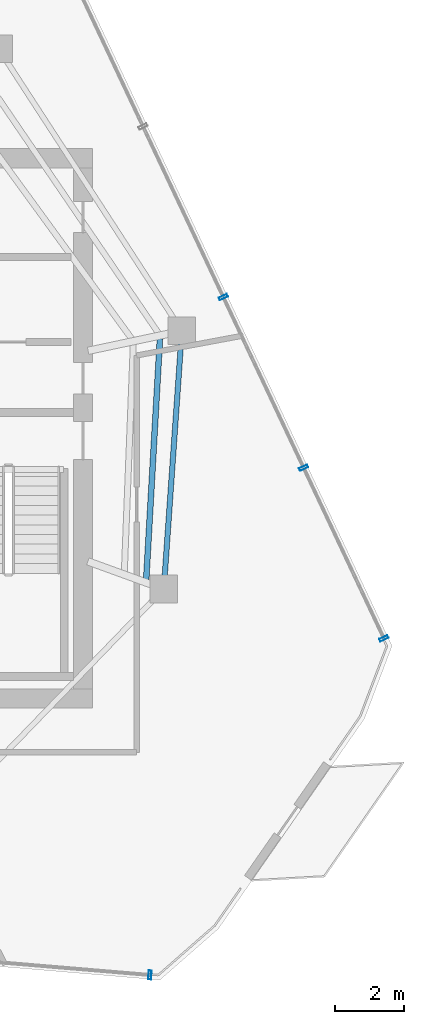
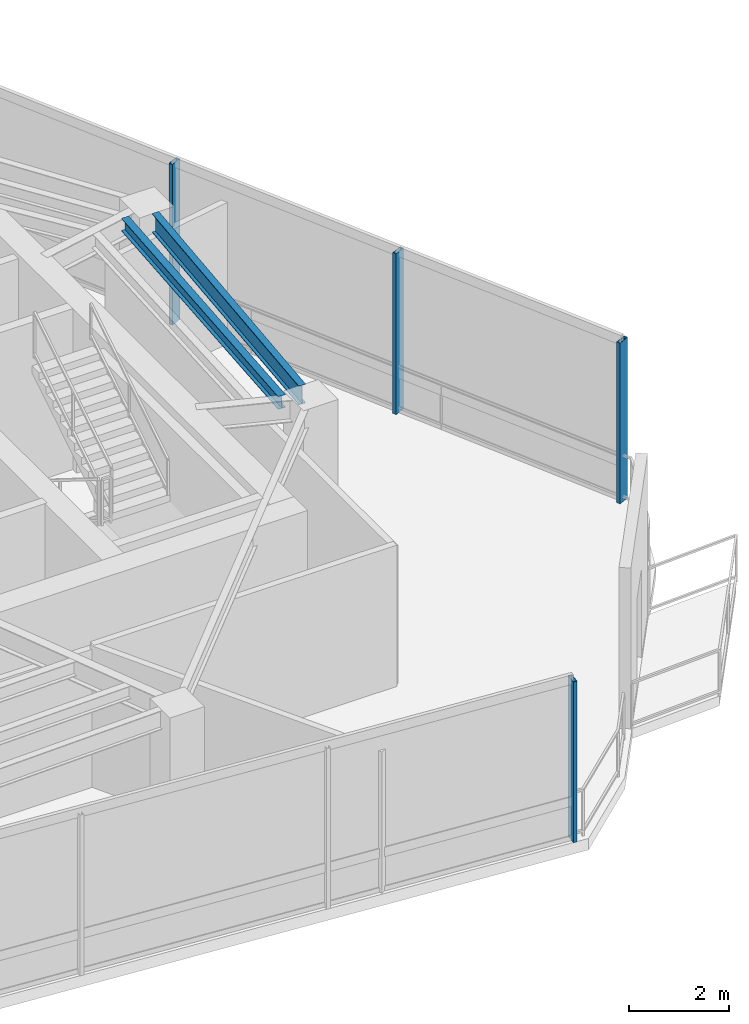
# One storey, part 11 of 19: 4 members, 2 beams, 2 elements without a shape of their own.
"""IFC4 building model written with IfcOpenShell, lengths in metres."""

from ifc_helpers import new_model, si_unit, direction, frame, origin, origin_2d, place, context, subcontext, project, spatial, hollow_rectangle, i_section, extrude, material, layer, layer_set, material_profile, profile_set, type_object, element, aggregate, save


model = new_model("IFC4")

# Units and contexts
model_context = context("Model", 3, precision=1e-05, world=origin(), true_north=direction((0.0, 1.0)))
body_context = subcontext(model_context, "Body", "Model", "MODEL_VIEW")
ifc_project = project(units=[si_unit("LENGTHUNIT", "METRE"), si_unit("AREAUNIT", "SQUARE_METRE"), si_unit("VOLUMEUNIT", "CUBIC_METRE"), si_unit("PLANEANGLEUNIT", "RADIAN"), si_unit("MASSUNIT", "GRAM", prefix="KILO")], contexts=[model_context])

# Site, building, storey
site_placement = place(None, origin())
site = spatial("IfcSite", under=ifc_project, at=site_placement, CompositionType="ELEMENT")
building_placement = place(site_placement, origin())
building = spatial("IfcBuilding", under=site, at=building_placement, Name="Qarnah Convention Tower", CompositionType="ELEMENT")
storey_placement = place(building_placement, frame((0.0, 0.0, 275.10009765625)))
storey = spatial("IfcBuildingStorey", under=building, at=storey_placement, Name="L74", CompositionType="ELEMENT", Elevation=275.10009765625)

# Beams
ifc_material_1 = material(Name="Structural steel S355JR", Category="steel")
ifc_material_profile_1 = material_profile(ifc_material_1, i_section(OverallWidth=0.166015625, OverallDepth=0.31201171875, WebThickness=0.007080078125, FlangeThickness=0.010986328125, at=origin_2d()), Name="W310X45")
ifc_profile_set_1 = profile_set([ifc_material_profile_1], Name="Structural steel S355JR")
beam_type_1 = type_object("IfcBeamType", Name="BM-JST-W310", PredefinedType="JOIST", material=ifc_profile_set_1)
beam_1_placement = place(storey_placement, frame((49.425048828125, 22.04296875, 3.763916015625), z_axis=(0.056885989552, 0.998380680999, 0.0), x_axis=(-0.998380680999, 0.056885989552, 0.0)))
element("IfcBeam", 1, at=beam_1_placement, inside=storey, type_object=beam_type_1, Name="L74 joist BM-L74-SJST-09", PredefinedType="JOIST", context=body_context, shape_type="SweptSolid", body=[
    extrude(i_section(OverallWidth=0.166015625, OverallDepth=0.31201171875, WebThickness=0.007080078125, FlangeThickness=0.010986328125, at=origin_2d()), origin(), (0.0, 0.0, 1.0), 6.961181640625),
])
ifc_material_profile_2 = material_profile(ifc_material_1, i_section(OverallWidth=0.154052734375, OverallDepth=0.4599609375, WebThickness=0.009033203125, FlangeThickness=0.014892578125, at=origin_2d()), Name="W460X68")
ifc_profile_set_2 = profile_set([ifc_material_profile_2], Name="Structural steel S355JR")
beam_type_2 = type_object("IfcBeamType", Name="BM-SPN-W460B", PredefinedType="SPANDREL", material=ifc_profile_set_2)
beam_2_placement = place(storey_placement, frame((49.9599609375, 22.155029296875, 3.68994140625), z_axis=(0.069820410922, 0.997559577278, 0.0), x_axis=(-0.997559577278, 0.069820410922, 0.0)))
element("IfcBeam", 2, at=beam_2_placement, inside=storey, type_object=beam_type_2, Name="L74 spandrel BM-L74-SPN-09", PredefinedType="SPANDREL", context=body_context, shape_type="SweptSolid", body=[
    extrude(i_section(OverallWidth=0.154052734375, OverallDepth=0.4599609375, WebThickness=0.009033203125, FlangeThickness=0.014892578125, at=origin_2d()), origin(), (0.0, 0.0, 1.0), 6.689208984375),
])

# Curtain wall, members
ifc_material_2 = material(Name="Tempered Low-E dark glass", Category="glass")
ifc_layer = layer(ifc_material_2, 0.177978515625)
ifc_layer_set = layer_set([ifc_layer], Name="Tempered Low-E dark glass")
curtain_wall_type = type_object("IfcCurtainWallType", Name="CWS-06", PredefinedType="NOTDEFINED", material=ifc_layer_set)
curtain_wall_1_placement = place(storey_placement, origin())
curtain_wall_1 = element("IfcCurtainWall", 3, at=curtain_wall_1_placement, inside=storey, type_object=curtain_wall_type, Name="L74 unitised curtain wall CW-L74-F1", PredefinedType="NOTDEFINED")
ifc_material_3 = material(Name="Black anodised aluminium", Category="aluminium")
ifc_material_profile_3 = material_profile(ifc_material_3, hollow_rectangle(XDim=0.0849609375, YDim=0.260009765625, WallThickness=0.006103515625, at=origin_2d()), Name="MUL-85X260")
ifc_profile_set_3 = profile_set([ifc_material_profile_3], Name="Black anodised aluminium")
member_type = type_object("IfcMemberType", Name="MUL-T6", PredefinedType="MULLION", material=ifc_profile_set_3)
member_1_placement = place(storey_placement, frame((51.65087890625, 30.191650390625, 0.0), z_axis=(0.0, 0.0, 1.0), x_axis=(0.425793504503, -0.904820364229, 0.0)))
member_1 = element("IfcMember", 4, at=member_1_placement, type_object=member_type, Name="CW-L74-F1 mullion 4", PredefinedType="MULLION", context=body_context, shape_type="SweptSolid", body=[
    extrude(hollow_rectangle(XDim=0.0849609375, YDim=0.260009765625, WallThickness=0.006103515625, at=origin_2d()), origin(), (0.0, 0.0, 1.0), 3.919921875),
])
member_2_placement = place(storey_placement, frame((53.968994140625, 25.265869140625, 0.0), z_axis=(0.0, 0.0, 1.0), x_axis=(0.425793504503, -0.904820364229, 0.0)))
member_2 = element("IfcMember", 5, at=member_2_placement, type_object=member_type, Name="CW-L74-F1 mullion 5", PredefinedType="MULLION", context=body_context, shape_type="SweptSolid", body=[
    extrude(hollow_rectangle(XDim=0.0849609375, YDim=0.260009765625, WallThickness=0.006103515625, at=origin_2d()), origin(), (0.0, 0.0, 1.0), 3.919921875),
])
member_3_placement = place(storey_placement, frame((56.287109375, 20.340087890625, 0.0), z_axis=(0.0, 0.0, 1.0), x_axis=(0.425793504503, -0.904820364229, 0.0)))
member_3 = element("IfcMember", 6, at=member_3_placement, type_object=member_type, Name="CW-L74-F1 mullion 6", PredefinedType="MULLION", context=body_context, shape_type="SweptSolid", body=[
    extrude(hollow_rectangle(XDim=0.0849609375, YDim=0.260009765625, WallThickness=0.006103515625, at=origin_2d()), origin(), (0.0, 0.0, 1.0), 3.919921875),
])
aggregate(curtain_wall_1, [member_1, member_2, member_3])

# Curtain wall, member
curtain_wall_2_placement = place(storey_placement, origin())
curtain_wall_2 = element("IfcCurtainWall", 7, at=curtain_wall_2_placement, inside=storey, type_object=curtain_wall_type, Name="L74 unitised curtain wall CW-L74-F2", PredefinedType="NOTDEFINED")
member_4_placement = place(storey_placement, frame((49.532958984375, 10.623046875, 0.0), z_axis=(0.0, 0.0, 1.0), x_axis=(-0.996494899207, 0.08365354657, 0.0)))
member_4 = element("IfcMember", 8, at=member_4_placement, type_object=member_type, Name="CW-L74-F2 mullion 1", PredefinedType="MULLION", context=body_context, shape_type="SweptSolid", body=[
    extrude(hollow_rectangle(XDim=0.0849609375, YDim=0.260009765625, WallThickness=0.006103515625, at=origin_2d()), origin(), (0.0, 0.0, 1.0), 3.919921875),
])
aggregate(curtain_wall_2, [member_4])

save(model, "model.ifc")
